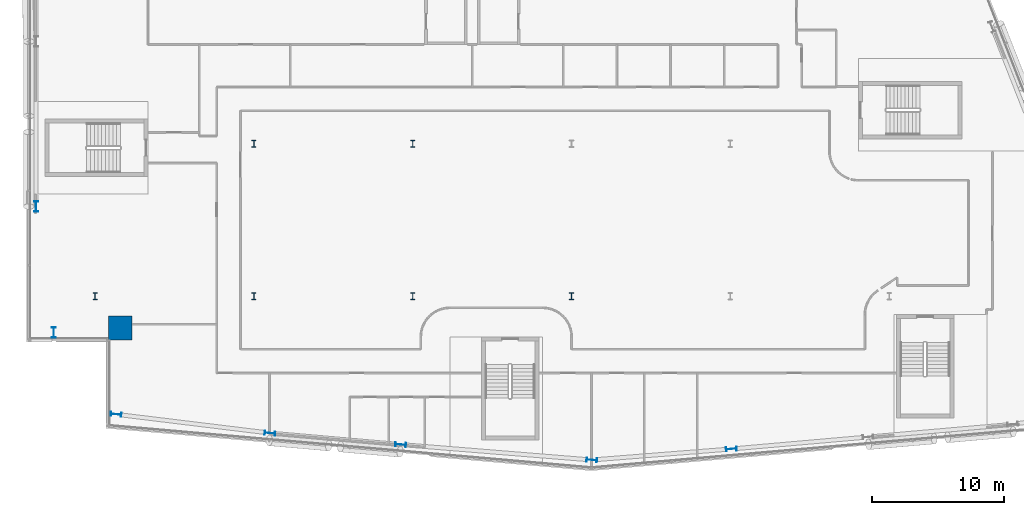
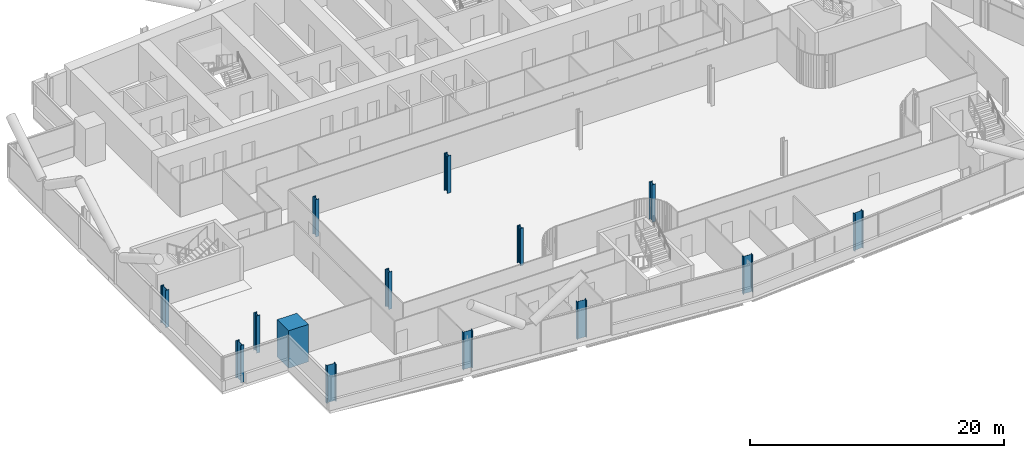
# One storey, part 1 of 31: 14 columns.
"""IFC4 building model written with IfcOpenShell, lengths in metres."""

import ifcopenshell
import ifcopenshell.guid

model = None  # the IFC model being written
_history = None  # IfcOwnerHistory: only IFC2X3 demands one
_inside = {}  # id of a spatial element -> (the spatial element, [elements in it])
_under = {}  # id of a project, library or spatial element -> (it, [spatial elements below it])
_declared = {}  # id of a project -> (the project, [libraries it declares])
_typed = {}  # id of a type object -> (the type object, [elements of that type])
_made_of = {}  # id of a material, layer set ... -> (it, [elements and type objects made of it])


def new_model(schema):
    """Start an empty IFC model of exactly this schema.

    Asked for "IFC4X3", IfcOpenShell would pick the latest addendum, in which some entities
    have other attributes; the version numbers below select the first issue.
    IFC2X3 requires an IfcOwnerHistory on every rooted entity: one is made here for all.
    """
    global model, _history
    if schema == "IFC4X3":
        model = ifcopenshell.file(schema_version=(4, 3, 0, 0))
    else:
        model = ifcopenshell.file(schema=schema)
    _inside.clear()
    _under.clear()
    _declared.clear()
    _typed.clear()
    _made_of.clear()
    _history = None
    if model.schema == "IFC2X3":
        org = make("IfcOrganization", Name="unknown")
        user = make(
            "IfcPersonAndOrganization",
            ThePerson=make("IfcPerson", FamilyName="unknown"),
            TheOrganization=org,
        )
        app = make(
            "IfcApplication",
            ApplicationDeveloper=org,
            Version="unknown",
            ApplicationFullName="unknown",
            ApplicationIdentifier="unknown",
        )
        _history = make(
            "IfcOwnerHistory",
            OwningUser=user,
            OwningApplication=app,
            ChangeAction="ADDED",
            CreationDate=0,
        )
    return model


def make(cls, **values):
    """One entity of the class cls with the attributes given. An attribute that is None is left unset."""
    return model.create_entity(
        cls, **{name: value for name, value in values.items() if value is not None}
    )


def rooted(cls, **values):
    """An entity with a GlobalId (a new one), such as an element, a storey or a relation."""
    return make(cls, GlobalId=ifcopenshell.guid.new(), OwnerHistory=_history, **values)


def si_unit(unit_type, name, prefix=None):
    """IfcSIUnit, for example si_unit("LENGTHUNIT", "METRE", prefix="MILLI")."""
    return make("IfcSIUnit", UnitType=unit_type, Prefix=prefix, Name=name)


def assignment(units):
    """IfcUnitAssignment: the units of a project."""
    return None if units is None else make("IfcUnitAssignment", Units=units)


def point(xyz):
    """IfcCartesianPoint."""
    return None if xyz is None else make("IfcCartesianPoint", Coordinates=xyz)


def direction(xyz):
    """IfcDirection."""
    return None if xyz is None else make("IfcDirection", DirectionRatios=xyz)


def frame(location, z_axis=None, x_axis=None):
    """IfcAxis2Placement3D, a coordinate frame: its origin and axes. An axis left out is left unset."""
    return make(
        "IfcAxis2Placement3D",
        Location=point(location),
        Axis=direction(z_axis),
        RefDirection=direction(x_axis),
    )


def frame_2d(location, x_axis=None):
    """IfcAxis2Placement2D, a coordinate frame in the plane: its origin and x axis."""
    return make(
        "IfcAxis2Placement2D", Location=point(location), RefDirection=direction(x_axis)
    )


def origin():
    """The frame at (0, 0, 0) with its axes left unset."""
    return frame((0.0, 0.0, 0.0))


def origin_2d():
    """The frame at (0, 0) in the plane with its x axis left unset."""
    return frame_2d((0.0, 0.0))


def place(relative_to, where):
    """IfcLocalPlacement: puts the frame where relative to a parent placement (None: the world)."""
    return make(
        "IfcLocalPlacement", PlacementRelTo=relative_to, RelativePlacement=where
    )


def context(
    kind, dimensions, precision=None, world=None, true_north=None, identifier=None
):
    """IfcGeometricRepresentationContext, for example the 3D "Model" context."""
    return make(
        "IfcGeometricRepresentationContext",
        ContextIdentifier=identifier,
        ContextType=kind,
        CoordinateSpaceDimension=dimensions,
        Precision=precision,
        WorldCoordinateSystem=world,
        TrueNorth=true_north,
    )


def subcontext(parent, identifier, kind, view, scale=None):
    """IfcGeometricRepresentationSubContext, for example "Body" below "Model"."""
    return make(
        "IfcGeometricRepresentationSubContext",
        ContextIdentifier=identifier,
        ContextType=kind,
        ParentContext=parent,
        TargetScale=scale,
        TargetView=view,
    )


def project(units=None, contexts=None):
    """IfcProject with its units and contexts."""
    return rooted(
        "IfcProject",
        Name="project",
        RepresentationContexts=contexts,
        UnitsInContext=assignment(units),
    )


def spatial(cls, under=None, at=None, **own):
    """A site, building, storey or space (cls), placed at a placement, below another one or the project."""
    s = rooted(cls, ObjectPlacement=at, **own)
    if under is not None:
        _under.setdefault(under.id(), (under, []))[1].append(s)
    return s


def profile(cls, at=None, kind="AREA", **sizes):
    """A parametric profile (cls). Its sizes go by their IFC names, for example OverallWidth=200.0."""
    return make(cls, ProfileType=kind, Position=at, **sizes)


def rectangle(**sizes):
    """IfcRectangleProfileDef."""
    return profile("IfcRectangleProfileDef", **sizes)


def i_section(**sizes):
    """IfcIShapeProfileDef."""
    return profile("IfcIShapeProfileDef", **sizes)


def extrude(swept, where, along, depth):
    """IfcExtrudedAreaSolid: the profile swept, set in the frame where, extruded along a direction by depth."""
    return make(
        "IfcExtrudedAreaSolid",
        SweptArea=swept,
        Position=where,
        ExtrudedDirection=direction(along),
        Depth=depth,
    )


def shape(context_of_items, identifier, shape_type, items):
    """IfcShapeRepresentation: the items that make up one representation, for example the "Body"."""
    return make(
        "IfcShapeRepresentation",
        ContextOfItems=context_of_items,
        RepresentationIdentifier=identifier,
        RepresentationType=shape_type,
        Items=items,
    )


def material(Name=None, Category=None):
    """IfcMaterial."""
    return make("IfcMaterial", Name=Name, Category=Category)


def material_profile(
    of_material, cross_section, Name=None, Category=None, Priority=None
):
    """IfcMaterialProfile: a cross section and its material."""
    return make(
        "IfcMaterialProfile",
        Name=Name,
        Material=of_material,
        Profile=cross_section,
        Priority=Priority,
        Category=Category,
    )


def profile_set(profiles, Name=None, composite=None):
    """IfcMaterialProfileSet."""
    return make(
        "IfcMaterialProfileSet",
        Name=Name,
        MaterialProfiles=profiles,
        CompositeProfile=composite,
    )


def made_of(thing, what):
    """Note that an element or type object is made of a material, layer set ...; save() writes the relation."""
    if what is not None:
        _made_of.setdefault(what.id(), (what, []))[1].append(thing)
    return thing


def type_object(cls, material=None, **own):
    """A type object (cls), such as IfcWallType, which elements share."""
    return made_of(rooted(cls, **own), material)


def element(
    cls,
    number,
    at=None,
    inside=None,
    cuts=None,
    type_object=None,
    material=None,
    context=None,
    identifier="Body",
    shape_type=None,
    held_by="IfcProductDefinitionShape",
    body=None,
    shapes=None,
    **own,
):
    """One element of the class cls, such as IfcWall. Its Tag is "e" and its number.

    at: its placement. inside: the storey or other place that contains it. cuts: it is an
    opening in that element (IfcRelVoidsElement). A single representation is given by context,
    identifier, shape_type and body (its items); several are given by shapes. held_by: the class
    of the entity that holds the representations. save() writes the other relations.
    """
    e = rooted(cls, Tag="e%d" % number, ObjectPlacement=at, **own)
    if body is not None:
        shapes = [shape(context, identifier, shape_type, body)]
    if shapes is not None:
        e.Representation = make(held_by, Representations=shapes)
    if inside is not None:
        _inside.setdefault(inside.id(), (inside, []))[1].append(e)
    if cuts is not None:
        rooted(
            "IfcRelVoidsElement", RelatingBuildingElement=cuts, RelatedOpeningElement=e
        )
    if type_object is not None:
        _typed.setdefault(type_object.id(), (type_object, []))[1].append(e)
    return made_of(e, material)


def aggregate(whole, parts):
    """IfcRelAggregates: a whole, such as a stair, and the parts it consists of."""
    return rooted("IfcRelAggregates", RelatingObject=whole, RelatedObjects=parts)


def save(model, path):
    """Write the relations noted so far, then the file.

    IfcRelAggregates (storeys below a building ...), IfcRelContainedInSpatialStructure (elements
    in a storey), IfcRelDefinesByType, IfcRelAssociatesMaterial and IfcRelDeclares: one each for
    every whole, place, type object, material and project.
    """
    for whole, parts in _under.values():
        aggregate(whole, parts)
    for where, things in _inside.values():
        rooted(
            "IfcRelContainedInSpatialStructure",
            RelatedElements=things,
            RelatingStructure=where,
        )
    for kind, things in _typed.values():
        rooted("IfcRelDefinesByType", RelatedObjects=things, RelatingType=kind)
    for what, things in _made_of.values():
        rooted("IfcRelAssociatesMaterial", RelatedObjects=things, RelatingMaterial=what)
    for by, libraries in _declared.values():
        rooted("IfcRelDeclares", RelatingContext=by, RelatedDefinitions=libraries)
    model.write(path)


model = new_model("IFC4")

# Units and contexts
model_context = context("Model", 3, precision=1e-05, world=origin(), true_north=direction((0.0, 1.0)))
body_context = subcontext(model_context, "Body", "Model", "MODEL_VIEW")
ifc_project = project(units=[si_unit("LENGTHUNIT", "METRE"), si_unit("AREAUNIT", "SQUARE_METRE"), si_unit("VOLUMEUNIT", "CUBIC_METRE"), si_unit("PLANEANGLEUNIT", "RADIAN"), si_unit("MASSUNIT", "GRAM", prefix="KILO")], contexts=[model_context])

# Site, building, storey
site_placement = place(None, origin())
site = spatial("IfcSite", under=ifc_project, at=site_placement, CompositionType="ELEMENT")
building_placement = place(site_placement, origin())
building = spatial("IfcBuilding", under=site, at=building_placement, Name="Wharfspan Tower", CompositionType="ELEMENT")
storey_placement = place(building_placement, frame((0.0, 0.0, 103.899902)))
storey = spatial("IfcBuildingStorey", under=building, at=storey_placement, Name="L23", CompositionType="ELEMENT", Elevation=103.899902)

# Columns
ifc_material_1 = material(Name="Steel S355J2", Category="steel")
ifc_material_profile_1 = material_profile(ifc_material_1, i_section(OverallWidth=0.305908, OverallDepth=0.523926, WebThickness=0.020996, FlangeThickness=0.040039, FilletRadius=0.0271, at=origin_2d()))
ifc_profile_set_1 = profile_set([ifc_material_profile_1], Name="Steel S355J2")
column_type_1 = type_object("IfcColumnType", Name="Column HEM 500", PredefinedType="COLUMN", material=ifc_profile_set_1)
for number, where, z_axis, x_axis, name in (
    (1, (12.0, 11.5, 0.0), (0.0, 0.0, 1.0), (1.0, 0.0, 0.0), "Interior column I.1.1 L23"),
    (2, (24.0, 11.5, 0.0), (0.0, 0.0, 1.0), (1.0, 0.0, 0.0), "Interior column I.1.2 L23"),
    (3, (36.0, 11.5, 0.0), (0.0, 0.0, 1.0), (1.0, 0.0, 0.0), "Interior column I.1.3 L23"),
    (4, (48.0, 11.5, 0.0), (0.0, 0.0, 1.0), (1.0, 0.0, 0.0), "Interior column I.1.4 L23"),
    (5, (24.0, 23.0, 0.0), (0.0, 0.0, 1.0), (1.0, 0.0, 0.0), "Interior column I.2.1 L23"),
    (6, (36.0, 23.0, 0.0), (0.0, 0.0, 1.0), (1.0, 0.0, 0.0), "Interior column I.2.2 L23"),
):
    element("IfcColumn", number, at=place(storey_placement, frame(where, z_axis=z_axis, x_axis=x_axis)), inside=storey, type_object=column_type_1, Name=name, PredefinedType="COLUMN", context=body_context, shape_type="SweptSolid", body=[
        extrude(i_section(OverallWidth=0.305908, OverallDepth=0.523926, WebThickness=0.020996, FlangeThickness=0.040039, FilletRadius=0.0271, at=origin_2d()), origin(), (0.0, 0.0, 1.0), 3.600098),
    ])
ifc_material_profile_2 = material_profile(ifc_material_1, i_section(OverallWidth=0.302979, OverallDepth=0.813965, WebThickness=0.020996, FlangeThickness=0.040039, FilletRadius=0.030029, at=origin_2d()))
ifc_profile_set_2 = profile_set([ifc_material_profile_2], Name="Steel S355J2")
column_type_2 = type_object("IfcColumnType", Name="Column HEM 800", PredefinedType="COLUMN", material=ifc_profile_set_2)
for number, where, z_axis, x_axis, name in (
    (7, (13.590576, 2.569336, 0.0), (0.0, 0.0, 1.0), (-0.087156, -0.996198, 0.0), "Perimeter column PS1.1 L23"),
    (8, (25.213623, 1.148682, 0.0), (0.0, 0.0, 1.0), (-0.087156, -0.996198, 0.0), "Perimeter column PS1.2 L23"),
    (9, (35.089111, 0.284668, 0.0), (0.0, 0.0, 1.0), (-0.087156, -0.996198, 0.0), "Perimeter column PS1.3 L23"),
    (10, (49.53125, -0.881592, 0.0), (0.0, 0.0, 1.0), (-0.087156, -0.996198, 0.0), "Perimeter column PS1.4 L23"),
    (11, (60.077881, -0.050781, 0.0), (0.0, 0.0, 1.0), (0.087156, -0.996198, 0.0), "Perimeter column PS2.1 L23"),
    (12, (7.540039, 18.266602, 0.0), (0.0, 0.0, 1.0), (-1.0, 0.0, 0.0), "Perimeter column PW.2 L23"),
    (13, (8.884521, 8.742676, 0.0), (0.0, 0.0, 1.0), (-1.0, 0.0, 0.0), "Perimeter column PW.3 L23"),
):
    element("IfcColumn", number, at=place(storey_placement, frame(where, z_axis=z_axis, x_axis=x_axis)), inside=storey, type_object=column_type_2, Name=name, PredefinedType="COLUMN", context=body_context, shape_type="SweptSolid", body=[
        extrude(i_section(OverallWidth=0.302979, OverallDepth=0.813965, WebThickness=0.020996, FlangeThickness=0.040039, FilletRadius=0.030029, at=origin_2d()), origin(), (0.0, 0.0, 1.0), 3.600098),
    ])
ifc_material_2 = material(Name="Concrete C70/85", Category="concrete")
ifc_material_profile_3 = material_profile(ifc_material_2, rectangle(XDim=1.800049, YDim=1.800049, at=origin_2d()))
ifc_profile_set_3 = profile_set([ifc_material_profile_3], Name="Concrete C70/85")
column_type_3 = type_object("IfcColumnType", Name="Mega column 1800 C70/85", PredefinedType="COLUMN", material=ifc_profile_set_3)
column_placement = place(storey_placement, frame((13.899902, 9.100098, 0.0), z_axis=(0.0, 0.0, 1.0), x_axis=(1.0, 0.0, 0.0)))
element("IfcColumn", 14, at=column_placement, inside=storey, type_object=column_type_3, Name="Mega column MC1 L23", PredefinedType="COLUMN", context=body_context, shape_type="SweptSolid", body=[
    extrude(rectangle(XDim=1.800049, YDim=1.800049, at=origin_2d()), origin(), (0.0, 0.0, 1.0), 3.600098),
])

save(model, "model.ifc")
